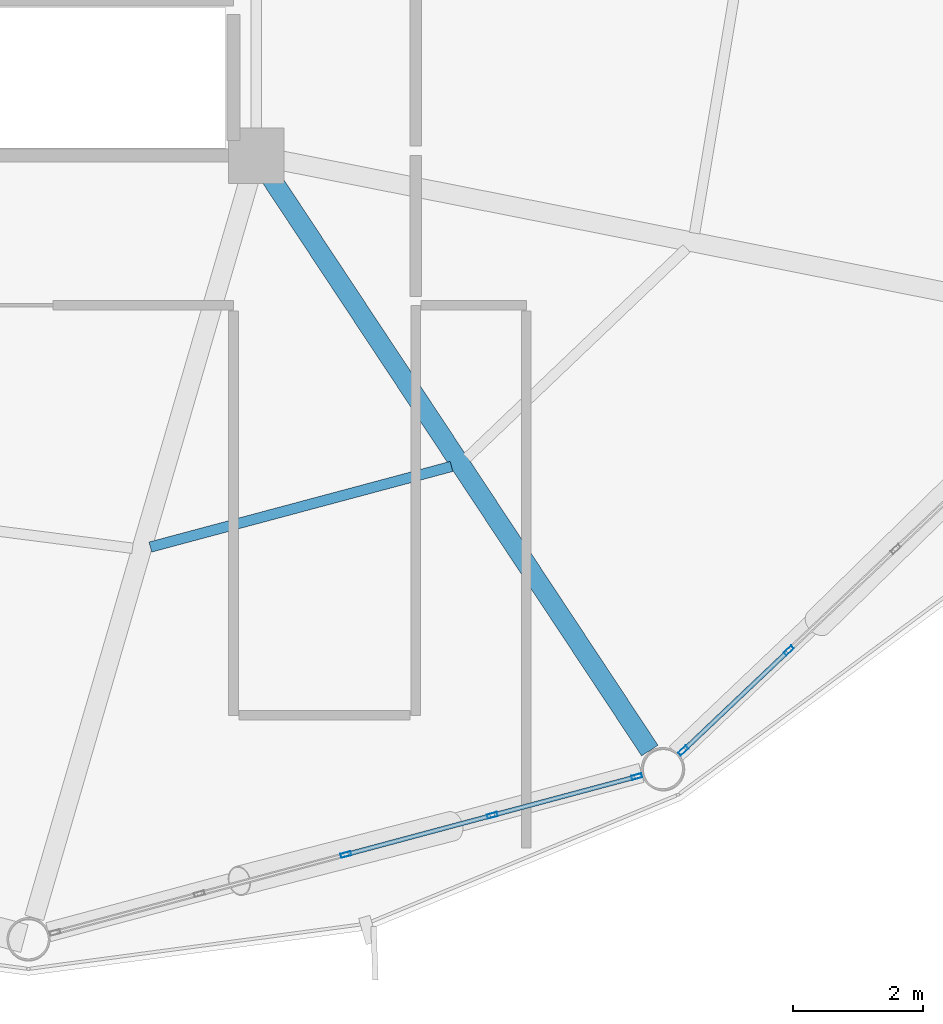
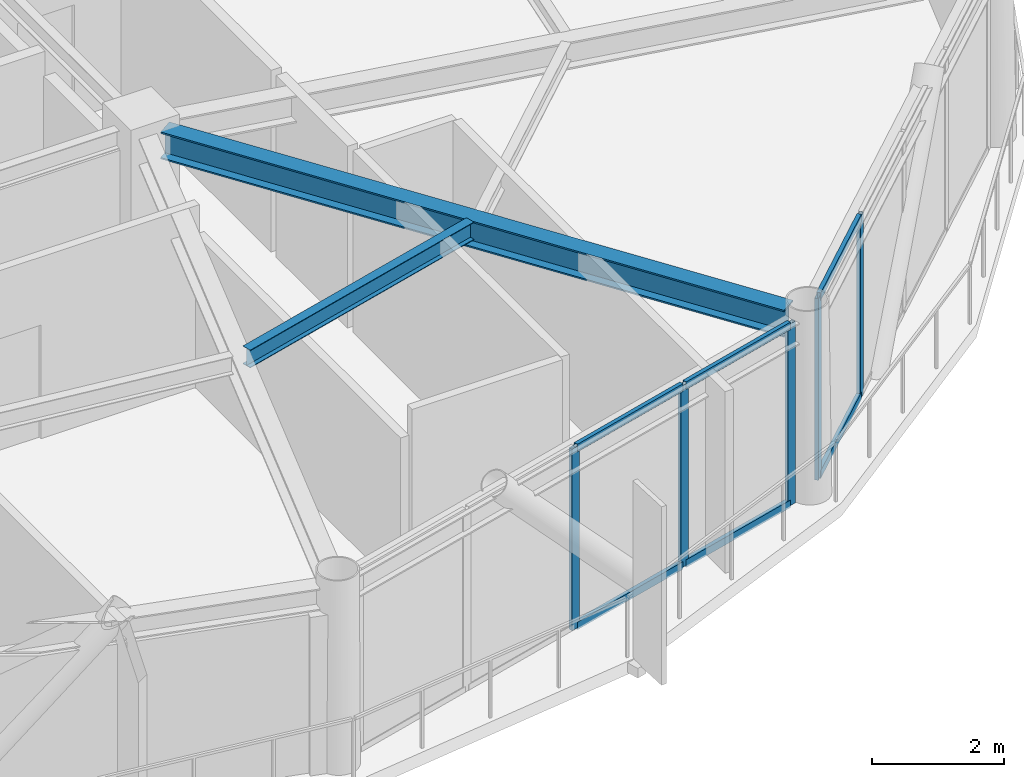
# One storey, part 9 of 28: 11 members, 2 beams, 2 elements without a shape of their own.
"""IFC4 building model written with IfcOpenShell, lengths in metres."""

from ifc_helpers import new_model, si_unit, direction, frame, origin, origin_2d, place, context, subcontext, project, spatial, hollow_rectangle, i_section, extrude, material, layer, layer_set, material_profile, profile_set, type_object, element, aggregate, save


model = new_model("IFC4")

# Units and contexts
model_context = context("Model", 3, precision=1e-05, world=origin(), true_north=direction((0.0, 1.0)))
body_context = subcontext(model_context, "Body", "Model", "MODEL_VIEW")
ifc_project = project(units=[si_unit("LENGTHUNIT", "METRE"), si_unit("AREAUNIT", "SQUARE_METRE"), si_unit("VOLUMEUNIT", "CUBIC_METRE"), si_unit("PLANEANGLEUNIT", "RADIAN"), si_unit("MASSUNIT", "GRAM", prefix="KILO")], contexts=[model_context])

# Site, building, storey
site_placement = place(None, origin())
site = spatial("IfcSite", under=ifc_project, at=site_placement, CompositionType="ELEMENT")
building_placement = place(site_placement, origin())
building = spatial("IfcBuilding", under=site, at=building_placement, Name="Varnakorn Sky Granary", CompositionType="ELEMENT")
storey_placement = place(building_placement, frame((0.0, 0.0, 186.0)))
storey = spatial("IfcBuildingStorey", under=building, at=storey_placement, Name="L46", CompositionType="ELEMENT", Elevation=186.0)

# Beams
ifc_material_1 = material(Name="Steel S355JR", Category="steel")
ifc_material_profile_1 = material_profile(ifc_material_1, i_section(OverallWidth=0.300048828125, OverallDepth=0.5, WebThickness=0.014404296875, FlangeThickness=0.028076171875, at=origin_2d()), Name="HE 500 B")
ifc_profile_set_1 = profile_set([ifc_material_profile_1], Name="Steel S355JR")
beam_type_1 = type_object("IfcBeamType", Name="BM-RAD-Z4", PredefinedType="BEAM", material=ifc_profile_set_1)
beam_1_placement = place(storey_placement, frame((8.573486328125, -6.937744140625, 3.110107421875), z_axis=(0.55178269328, -0.83398792521, 0.0), x_axis=(0.83398792521, 0.55178269328, 0.0)))
element("IfcBeam", 1, at=beam_1_placement, inside=storey, type_object=beam_type_1, Name="Radial Floor Girder RG11 L46", PredefinedType="BEAM", context=body_context, shape_type="SweptSolid", body=[
    extrude(i_section(OverallWidth=0.300048828125, OverallDepth=0.5, WebThickness=0.014404296875, FlangeThickness=0.028076171875, at=origin_2d()), origin(), (0.0, 0.0, 1.0), 10.55615234375),
])
ifc_material_profile_2 = material_profile(ifc_material_1, i_section(OverallWidth=0.159912109375, OverallDepth=0.330078125, WebThickness=0.007568359375, FlangeThickness=0.011474609375, at=origin_2d()), Name="IPE 330")
ifc_profile_set_2 = profile_set([ifc_material_profile_2], Name="Steel S355JR")
beam_type_2 = type_object("IfcBeamType", Name="BM-SEC-Z4", PredefinedType="BEAM", material=ifc_profile_set_2)
beam_2_placement = place(storey_placement, frame((6.72265625, -12.614501953125, 3.195068359375), z_axis=(0.965992613663, 0.258569662467, 0.0), x_axis=(-0.258569662467, 0.965992613663, 0.0)))
element("IfcBeam", 2, at=beam_2_placement, inside=storey, type_object=beam_type_2, Name="Secondary Floor Chord Beam MSB10 L46", PredefinedType="BEAM", context=body_context, shape_type="SweptSolid", body=[
    extrude(i_section(OverallWidth=0.159912109375, OverallDepth=0.330078125, WebThickness=0.007568359375, FlangeThickness=0.011474609375, at=origin_2d()), origin(), (0.0, 0.0, 1.0), 4.790771484375),
])

# Curtain wall, members
ifc_material_2 = material(Name="Anodised Bronze Aluminium Alloy 6063-T6", Category="aluminium")
ifc_layer = layer(ifc_material_2, 0.169921875, Name="Anodised Bronze Aluminium Alloy 6063-T6")
ifc_layer_set = layer_set([ifc_layer], Name="Anodised Bronze Aluminium Alloy 6063-T6")
curtain_wall_type = type_object("IfcCurtainWallType", Name="CW-LAB-1", PredefinedType="USERDEFINED", material=ifc_layer_set)
curtain_wall_1_placement = place(storey_placement, origin())
curtain_wall_1 = element("IfcCurtainWall", 3, at=curtain_wall_1_placement, inside=storey, type_object=curtain_wall_type, Name="Unitised Curtain Wall CW5 CW-L46-B10", ObjectType="CURTAIN WALL", PredefinedType="USERDEFINED")
ifc_material_profile_3 = material_profile(ifc_material_2, hollow_rectangle(XDim=0.06494140625, YDim=0.159912109375, WallThickness=0.00341796875, at=origin_2d()), Name="ALU MULL 65x160")
ifc_profile_set_3 = profile_set([ifc_material_profile_3], Name="Anodised Bronze Aluminium Alloy 6063-T6")
member_type_1 = type_object("IfcMemberType", Name="CW-LAB-1-MULL", PredefinedType="MULLION", material=ifc_profile_set_3)
member_1_placement = place(storey_placement, frame((14.197998046875, -16.14208984375, 0.0), z_axis=(0.0, 0.0, 1.0), x_axis=(0.258925213654, -0.965897372258, 0.0)))
member_1 = element("IfcMember", 4, at=member_1_placement, type_object=member_type_1, Name="CW5 mullion 1", PredefinedType="MULLION", context=body_context, shape_type="SweptSolid", body=[
    extrude(hollow_rectangle(XDim=0.06494140625, YDim=0.159912109375, WallThickness=0.00341796875, at=origin_2d()), origin(), (0.0, 0.0, 1.0), 3.360107421875),
])
member_2_placement = place(storey_placement, frame((11.978759765625, -16.737060546875, 0.0), z_axis=(0.0, 0.0, 1.0), x_axis=(0.258925213654, -0.965897372258, 0.0)))
member_2 = element("IfcMember", 5, at=member_2_placement, type_object=member_type_1, Name="CW5 mullion 2", PredefinedType="MULLION", context=body_context, shape_type="SweptSolid", body=[
    extrude(hollow_rectangle(XDim=0.06494140625, YDim=0.159912109375, WallThickness=0.00341796875, at=origin_2d()), origin(), (0.0, 0.0, 1.0), 3.360107421875),
])
member_3_placement = place(storey_placement, frame((9.72802734375, -17.34033203125, 0.0), z_axis=(0.0, 0.0, 1.0), x_axis=(0.258925213654, -0.965897372258, 0.0)))
member_3 = element("IfcMember", 6, at=member_3_placement, type_object=member_type_1, Name="CW5 mullion 3", PredefinedType="MULLION", context=body_context, shape_type="SweptSolid", body=[
    extrude(hollow_rectangle(XDim=0.06494140625, YDim=0.159912109375, WallThickness=0.00341796875, at=origin_2d()), origin(), (0.0, 0.0, 1.0), 3.360107421875),
])

curtain_wall_2_placement = place(storey_placement, origin())
curtain_wall_2 = element("IfcCurtainWall", 7, at=curtain_wall_2_placement, inside=storey, type_object=curtain_wall_type, Name="Unitised Curtain Wall CW5 CW-L46-B11", ObjectType="CURTAIN WALL", PredefinedType="USERDEFINED")
member_4_placement = place(storey_placement, frame((16.532958984375, -14.204345703125, 0.0), z_axis=(0.0, 0.0, 1.0), x_axis=(0.688291544345, -0.725434180325, 0.0)))
member_4 = element("IfcMember", 8, at=member_4_placement, type_object=member_type_1, Name="CW5 mullion 4", PredefinedType="MULLION", context=body_context, shape_type="SweptSolid", body=[
    extrude(hollow_rectangle(XDim=0.06494140625, YDim=0.159912109375, WallThickness=0.00341796875, at=origin_2d()), origin(), (0.0, 0.0, 1.0), 3.360107421875),
])
member_5_placement = place(storey_placement, frame((14.91259765625, -15.741943359375, 0.0), z_axis=(0.0, 0.0, 1.0), x_axis=(0.688291544345, -0.725434180325, 0.0)))
member_5 = element("IfcMember", 9, at=member_5_placement, type_object=member_type_1, Name="CW5 mullion 5", PredefinedType="MULLION", context=body_context, shape_type="SweptSolid", body=[
    extrude(hollow_rectangle(XDim=0.06494140625, YDim=0.159912109375, WallThickness=0.00341796875, at=origin_2d()), origin(), (0.0, 0.0, 1.0), 3.360107421875),
])

# Member
ifc_material_profile_4 = material_profile(ifc_material_2, hollow_rectangle(XDim=0.070068359375, YDim=0.139892578125, WallThickness=0.00341796875, at=origin_2d()), Name="ALU TRAN 70x140")
ifc_profile_set_4 = profile_set([ifc_material_profile_4], Name="Anodised Bronze Aluminium Alloy 6063-T6")
member_type_2 = type_object("IfcMemberType", Name="CW-LAB-1-TRAN", PredefinedType="USERDEFINED", material=ifc_profile_set_4)
member_6_placement = place(storey_placement, frame((14.16650390625, -16.150634765625, 0.034912109375), z_axis=(-0.965920227617, -0.258839938726, 0.0), x_axis=(0.258839938726, -0.965920227617, 0.0)))
member_6 = element("IfcMember", 10, at=member_6_placement, type_object=member_type_2, Name="CW5 transom 1.1", ObjectType="TRANSOM", PredefinedType="USERDEFINED", context=body_context, shape_type="SweptSolid", body=[
    extrude(hollow_rectangle(XDim=0.070068359375, YDim=0.139892578125, WallThickness=0.00341796875, at=origin_2d()), origin(), (0.0, 0.0, 1.0), 2.232666015625),
])

member_7_placement = place(storey_placement, frame((14.16650390625, -16.150634765625, 3.324951171875), z_axis=(-0.965920227617, -0.258839938726, 0.0), x_axis=(0.258839938726, -0.965920227617, 0.0)))
member_7 = element("IfcMember", 11, at=member_7_placement, type_object=member_type_2, Name="CW5 transom 1.2", ObjectType="TRANSOM", PredefinedType="USERDEFINED", context=body_context, shape_type="SweptSolid", body=[
    extrude(hollow_rectangle(XDim=0.070068359375, YDim=0.139892578125, WallThickness=0.00341796875, at=origin_2d()), origin(), (0.0, 0.0, 1.0), 2.232666015625),
])

member_8_placement = place(storey_placement, frame((11.947265625, -16.745361328125, 0.034912109375), z_axis=(-0.965881642229, -0.258983885994, 0.0), x_axis=(0.258983885994, -0.965881642229, 0.0)))
member_8 = element("IfcMember", 12, at=member_8_placement, type_object=member_type_2, Name="CW5 transom 2.1", ObjectType="TRANSOM", PredefinedType="USERDEFINED", context=body_context, shape_type="SweptSolid", body=[
    extrude(hollow_rectangle(XDim=0.070068359375, YDim=0.139892578125, WallThickness=0.00341796875, at=origin_2d()), origin(), (0.0, 0.0, 1.0), 2.265380859375),
])

member_9_placement = place(storey_placement, frame((11.947265625, -16.745361328125, 3.324951171875), z_axis=(-0.965881642229, -0.258983885994, 0.0), x_axis=(0.258983885994, -0.965881642229, 0.0)))
member_9 = element("IfcMember", 13, at=member_9_placement, type_object=member_type_2, Name="CW5 transom 2.2", ObjectType="TRANSOM", PredefinedType="USERDEFINED", context=body_context, shape_type="SweptSolid", body=[
    extrude(hollow_rectangle(XDim=0.070068359375, YDim=0.139892578125, WallThickness=0.00341796875, at=origin_2d()), origin(), (0.0, 0.0, 1.0), 2.265380859375),
])

aggregate(curtain_wall_1, [member_1, member_2, member_3, member_6, member_7, member_8, member_9])

member_10_placement = place(storey_placement, frame((16.50927734375, -14.226806640625, 0.034912109375), z_axis=(-0.725437754945, -0.688287776806, 0.0), x_axis=(0.688287776806, -0.725437754945, 0.0)))
member_10 = element("IfcMember", 14, at=member_10_placement, type_object=member_type_2, Name="CW5 transom 4.1", ObjectType="TRANSOM", PredefinedType="USERDEFINED", context=body_context, shape_type="SweptSolid", body=[
    extrude(hollow_rectangle(XDim=0.070068359375, YDim=0.139892578125, WallThickness=0.00341796875, at=origin_2d()), origin(), (0.0, 0.0, 1.0), 2.168701171875),
])

member_11_placement = place(storey_placement, frame((16.50927734375, -14.226806640625, 3.324951171875), z_axis=(-0.725437754945, -0.688287776806, 0.0), x_axis=(0.688287776806, -0.725437754945, 0.0)))
member_11 = element("IfcMember", 15, at=member_11_placement, type_object=member_type_2, Name="CW5 transom 4.2", ObjectType="TRANSOM", PredefinedType="USERDEFINED", context=body_context, shape_type="SweptSolid", body=[
    extrude(hollow_rectangle(XDim=0.070068359375, YDim=0.139892578125, WallThickness=0.00341796875, at=origin_2d()), origin(), (0.0, 0.0, 1.0), 2.168701171875),
])

aggregate(curtain_wall_2, [member_4, member_5, member_10, member_11])

save(model, "model.ifc")
